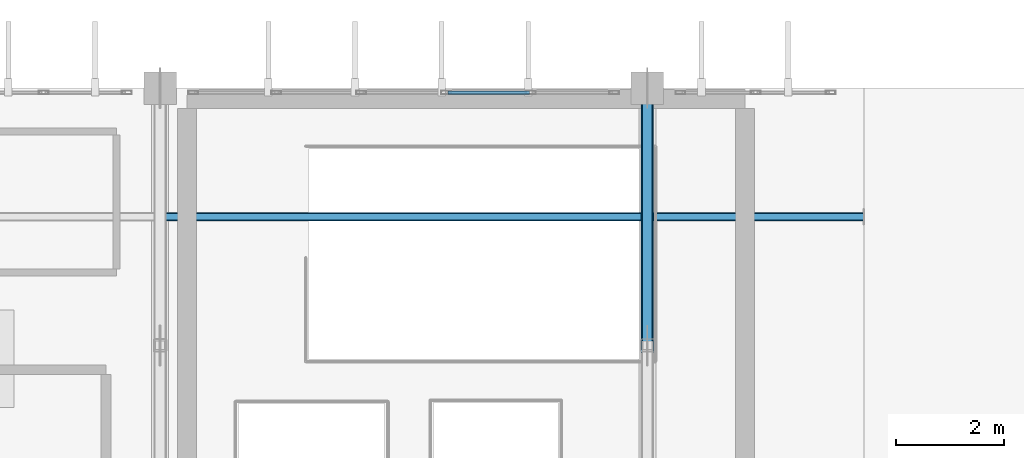
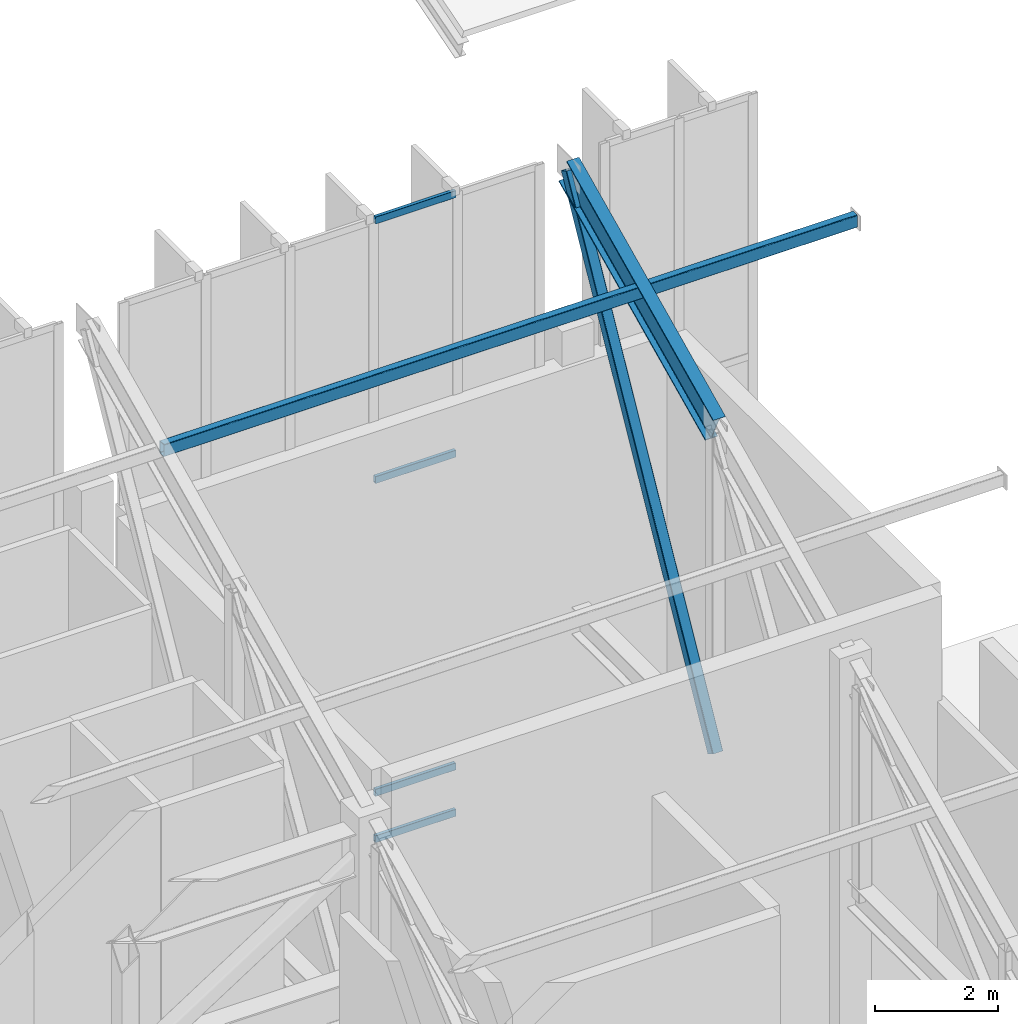
# One storey, part 41 of 68: 6 members, 1 beam, 1 element without a shape of its own.
"""IFC4 building model written with IfcOpenShell, lengths in metres."""

from ifc_helpers import new_model, si_unit, direction, frame, origin, origin_2d, place, context, subcontext, project, spatial, hollow_rectangle, i_section, extrude, material, material_profile, profile_set, type_object, element, aggregate, save


model = new_model("IFC4")

# Units and contexts
model_context = context("Model", 3, precision=1e-05, world=origin(), true_north=direction((0.0, 1.0)))
body_context = subcontext(model_context, "Body", "Model", "MODEL_VIEW")
ifc_project = project(units=[si_unit("LENGTHUNIT", "METRE"), si_unit("AREAUNIT", "SQUARE_METRE"), si_unit("VOLUMEUNIT", "CUBIC_METRE"), si_unit("PLANEANGLEUNIT", "RADIAN"), si_unit("MASSUNIT", "GRAM", prefix="KILO")], contexts=[model_context])

# Site, building, storey
site_placement = place(None, origin())
site = spatial("IfcSite", under=ifc_project, at=site_placement, CompositionType="ELEMENT")
building_placement = place(site_placement, origin())
building = spatial("IfcBuilding", under=site, at=building_placement, Name="Miravela Opera House", CompositionType="ELEMENT")
storey_placement = place(building_placement, frame((0.0, 0.0, 21.760009765625)))
storey = spatial("IfcBuildingStorey", under=building, at=storey_placement, Name="L05", CompositionType="ELEMENT", Elevation=21.760009765625)

# Curtain wall, members
ifc_material_1 = material(Name="Anodised architectural bronze aluminium 6063-T6", Category="aluminium")
curtain_wall_type = type_object("IfcCurtainWallType", Name="ARC-CW-03", PredefinedType="NOTDEFINED", material=ifc_material_1)
curtain_wall_placement = place(storey_placement, origin())
curtain_wall = element("IfcCurtainWall", 1, at=curtain_wall_placement, inside=storey, type_object=curtain_wall_type, Name="Auditorium North Wrapper Glazing CW-L05-063", PredefinedType="NOTDEFINED")
ifc_material_profile_1 = material_profile(ifc_material_1, hollow_rectangle(XDim=0.06494140625, YDim=0.139892578125, WallThickness=0.00390625, InnerFilletRadius=0.001953125, OuterFilletRadius=0.00390625, at=origin_2d()), Name="CWT-65X140")
ifc_profile_set_1 = profile_set([ifc_material_profile_1])
member_type_1 = type_object("IfcMemberType", Name="ARC-CWT-140", PredefinedType="USERDEFINED", material=ifc_profile_set_1)
member_1_placement = place(storey_placement, frame((50.31640625, 74.919921875, 0.032470703125), z_axis=(1.0, 0.0, 0.0), x_axis=(0.0, 1.0, 0.0)))
member_1 = element("IfcMember", 2, at=member_1_placement, type_object=member_type_1, Name="CW-03 transom 4.1", ObjectType="TRANSOM", PredefinedType="USERDEFINED", context=body_context, shape_type="SweptSolid", body=[
    extrude(hollow_rectangle(XDim=0.06494140625, YDim=0.139892578125, WallThickness=0.00390625, InnerFilletRadius=0.001953125, OuterFilletRadius=0.00390625, at=origin_2d()), origin(), (0.0, 0.0, 1.0), 1.503173828125),
])
member_2_placement = place(storey_placement, frame((50.31640625, 74.919921875, 0.949951171875), z_axis=(1.0, 0.0, 0.0), x_axis=(0.0, 1.0, 0.0)))
member_2 = element("IfcMember", 3, at=member_2_placement, type_object=member_type_1, Name="CW-03 transom 4.2", ObjectType="TRANSOM", PredefinedType="USERDEFINED", context=body_context, shape_type="SweptSolid", body=[
    extrude(hollow_rectangle(XDim=0.06494140625, YDim=0.139892578125, WallThickness=0.00390625, InnerFilletRadius=0.001953125, OuterFilletRadius=0.00390625, at=origin_2d()), origin(), (0.0, 0.0, 1.0), 1.503173828125),
])
member_3_placement = place(storey_placement, frame((50.31640625, 74.919921875, 7.139892578125), z_axis=(1.0, 0.0, 0.0), x_axis=(0.0, 1.0, 0.0)))
member_3 = element("IfcMember", 4, at=member_3_placement, type_object=member_type_1, Name="CW-03 transom 4.3", ObjectType="TRANSOM", PredefinedType="USERDEFINED", context=body_context, shape_type="SweptSolid", body=[
    extrude(hollow_rectangle(XDim=0.06494140625, YDim=0.139892578125, WallThickness=0.00390625, InnerFilletRadius=0.001953125, OuterFilletRadius=0.00390625, at=origin_2d()), origin(), (0.0, 0.0, 1.0), 1.503173828125),
])
member_4_placement = place(storey_placement, frame((50.31640625, 74.919921875, 12.277587890625), z_axis=(1.0, 0.0, 0.0), x_axis=(0.0, 1.0, 0.0)))
member_4 = element("IfcMember", 5, at=member_4_placement, type_object=member_type_1, Name="CW-03 transom 4.4", ObjectType="TRANSOM", PredefinedType="USERDEFINED", context=body_context, shape_type="SweptSolid", body=[
    extrude(hollow_rectangle(XDim=0.06494140625, YDim=0.139892578125, WallThickness=0.00390625, InnerFilletRadius=0.001953125, OuterFilletRadius=0.00390625, at=origin_2d()), origin(), (0.0, 0.0, 1.0), 1.503173828125),
])
aggregate(curtain_wall, [member_1, member_2, member_3, member_4])

# Beam
ifc_material_2 = material(Name="Structural steel ASTM A992 Gr. 50", Category="steel")
ifc_material_profile_2 = material_profile(ifc_material_2, i_section(OverallWidth=0.22998046875, OverallDepth=0.616943359375, WebThickness=0.01318359375, FlangeThickness=0.022216796875, FilletRadius=0.01806640625, at=origin_2d()), Name="W610X140")
ifc_profile_set_2 = profile_set([ifc_material_profile_2])
beam_type = type_object("IfcBeamType", Name="STR-BM-W610X140", PredefinedType="BEAM", material=ifc_profile_set_2)
beam_placement = place(storey_placement, frame((54.0, 70.25, 9.689453125), z_axis=(0.0, 0.903737838894, 0.428086344739), x_axis=(-1.0, 0.0, 0.0)))
element("IfcBeam", 6, at=beam_placement, inside=storey, type_object=beam_type, Name="V-Crest Roof Rafter Girder X=54 Seg 8", PredefinedType="BEAM", context=body_context, shape_type="SweptSolid", body=[
    extrude(i_section(OverallWidth=0.22998046875, OverallDepth=0.616943359375, WebThickness=0.01318359375, FlangeThickness=0.022216796875, FilletRadius=0.01806640625, at=origin_2d()), origin(), (0.0, 0.0, 1.0), 5.255859375),
])

# Members
ifc_material_3 = material(Name="Hollow structural steel ASTM A500 Gr. C", Category="steel")
ifc_material_profile_3 = material_profile(ifc_material_3, hollow_rectangle(XDim=0.14990234375, YDim=0.25, WallThickness=0.011962890625, InnerFilletRadius=0.011962890625, OuterFilletRadius=0.02392578125, at=origin_2d()), Name="HSS250X150X12")
ifc_profile_set_3 = profile_set([ifc_material_profile_3])
member_type_2 = type_object("IfcMemberType", Name="STR-MEM-PURLIN-1", PredefinedType="PURLIN", material=ifc_profile_set_3)
member_5_placement = place(storey_placement, frame((45.010009765625, 72.625, 10.994873046875), z_axis=(1.0, 0.0, 0.0), x_axis=(0.0, 1.0, 0.0)))
element("IfcMember", 7, at=member_5_placement, inside=storey, type_object=member_type_2, Name="V-Roof Steel Purlin B8.4", PredefinedType="PURLIN", context=body_context, shape_type="SweptSolid", body=[
    extrude(hollow_rectangle(XDim=0.14990234375, YDim=0.25, WallThickness=0.011962890625, InnerFilletRadius=0.011962890625, OuterFilletRadius=0.02392578125, at=origin_2d()), origin(), (0.0, 0.0, 1.0), 12.97998046875),
])
ifc_material_profile_4 = material_profile(ifc_material_3, hollow_rectangle(XDim=0.199951171875, YDim=0.199951171875, WallThickness=0.010009765625, InnerFilletRadius=0.010009765625, OuterFilletRadius=0.02001953125, at=origin_2d()), Name="HSS200X200X10")
ifc_profile_set_4 = profile_set([ifc_material_profile_4])
member_type_3 = type_object("IfcMemberType", Name="STR-MEM-WEDGE-WEB", PredefinedType="BRACE", material=ifc_profile_set_4)
member_6_placement = place(storey_placement, frame((54.0, 70.25, 3.280029296875), z_axis=(0.0, 0.480911686794, 0.876769040001), x_axis=(-1.0, 0.0, 0.0)))
element("IfcMember", 8, at=member_6_placement, inside=storey, type_object=member_type_3, Name="V-Crest Roof Truss Web Diagonal X=54 Bay 8", PredefinedType="BRACE", context=body_context, shape_type="SweptSolid", body=[
    extrude(hollow_rectangle(XDim=0.199951171875, YDim=0.199951171875, WallThickness=0.010009765625, InnerFilletRadius=0.010009765625, OuterFilletRadius=0.02001953125, at=origin_2d()), origin(), (0.0, 0.0, 1.0), 9.876953125),
])

save(model, "model.ifc")
